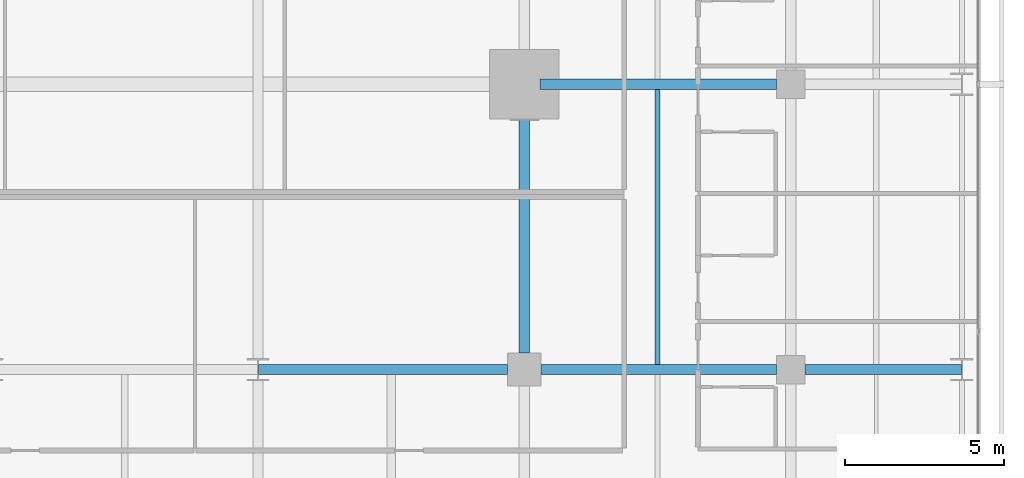
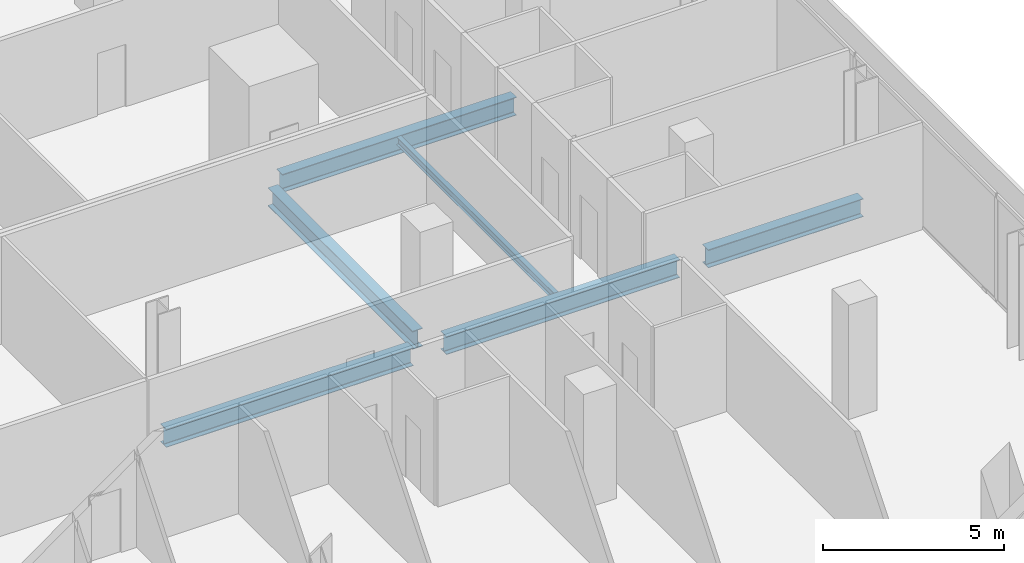
# One storey, part 18 of 40: 6 beams.
"""IFC4 building model written with IfcOpenShell, lengths in metres."""

from ifc_helpers import new_model, si_unit, direction, frame, origin, origin_2d, place, context, subcontext, project, spatial, i_section, extrude, material, material_profile, profile_set, type_object, element, save


model = new_model("IFC4")

# Units and contexts
model_context = context("Model", 3, precision=1e-05, world=origin(), true_north=direction((0.0, 1.0)))
body_context = subcontext(model_context, "Body", "Model", "MODEL_VIEW")
ifc_project = project(units=[si_unit("LENGTHUNIT", "METRE"), si_unit("AREAUNIT", "SQUARE_METRE"), si_unit("VOLUMEUNIT", "CUBIC_METRE"), si_unit("PLANEANGLEUNIT", "RADIAN"), si_unit("MASSUNIT", "GRAM", prefix="KILO")], contexts=[model_context])

# Site, building, storey
site_placement = place(None, origin())
site = spatial("IfcSite", under=ifc_project, at=site_placement, CompositionType="ELEMENT")
building_placement = place(site_placement, origin())
building = spatial("IfcBuilding", under=site, at=building_placement, Name="Maruvema Waterfront Hotel and Observation Tower", CompositionType="ELEMENT")
storey_placement = place(building_placement, frame((0.0, 0.0, 77.0)))
storey = spatial("IfcBuildingStorey", under=building, at=storey_placement, Name="L18", CompositionType="ELEMENT", Elevation=77.0)

# Beams
ifc_material_1 = material(Name="Steel ASTM A572 Grade 50", Category="steel")
ifc_material_profile_1 = material_profile(ifc_material_1, i_section(OverallWidth=0.323974609375, OverallDepth=0.611083984375, WebThickness=0.0126953125, FlangeThickness=0.01904296875, FilletRadius=0.01806640625, at=origin_2d()), Name="W610x155.0")
ifc_profile_set_1 = profile_set([ifc_material_profile_1], Name="Steel ASTM A572 Grade 50")
beam_type_1 = type_object("IfcBeamType", Name="Primary Floor Girder W610x155.0", PredefinedType="BEAM", material=ifc_profile_set_1)
beam_1_placement = place(storey_placement, frame((42.013916015625, 18.0, -0.54541015625), z_axis=(1.0, 0.0, 0.0), x_axis=(0.0, 1.0, 0.0)))
element("IfcBeam", 1, at=beam_1_placement, inside=storey, type_object=beam_type_1, Name="L18 Floor Girder EW-17", PredefinedType="BEAM", context=body_context, shape_type="SweptSolid", body=[
    extrude(i_section(OverallWidth=0.323974609375, OverallDepth=0.611083984375, WebThickness=0.0126953125, FlangeThickness=0.01904296875, FilletRadius=0.01806640625, at=origin_2d()), origin(), (0.0, 0.0, 1.0), 7.861083984375),
])
beam_2_placement = place(storey_placement, frame((50.925048828125, 18.0, -0.54541015625), z_axis=(1.0, 0.0, 0.0), x_axis=(0.0, 1.0, 0.0)))
element("IfcBeam", 2, at=beam_2_placement, inside=storey, type_object=beam_type_1, Name="L18 Floor Girder EW-18", PredefinedType="BEAM", context=body_context, shape_type="SweptSolid", body=[
    extrude(i_section(OverallWidth=0.323974609375, OverallDepth=0.611083984375, WebThickness=0.0126953125, FlangeThickness=0.01904296875, FilletRadius=0.01806640625, at=origin_2d()), origin(), (0.0, 0.0, 1.0), 7.425048828125),
])
beam_3_placement = place(storey_placement, frame((59.25, 18.0, -0.54541015625), z_axis=(1.0, 0.0, 0.0), x_axis=(0.0, 1.0, 0.0)))
element("IfcBeam", 3, at=beam_3_placement, inside=storey, type_object=beam_type_1, Name="L18 Floor Girder EW-19", PredefinedType="BEAM", context=body_context, shape_type="SweptSolid", body=[
    extrude(i_section(OverallWidth=0.323974609375, OverallDepth=0.611083984375, WebThickness=0.0126953125, FlangeThickness=0.01904296875, FilletRadius=0.01806640625, at=origin_2d()), origin(), (0.0, 0.0, 1.0), 4.93603515625),
])
beam_4_placement = place(storey_placement, frame((50.89990234375, 27.0, -0.54541015625), z_axis=(1.0, 0.0, 0.0), x_axis=(0.0, 1.0, 0.0)))
element("IfcBeam", 4, at=beam_4_placement, inside=storey, type_object=beam_type_1, Name="L18 Floor Girder EW-23", PredefinedType="BEAM", context=body_context, shape_type="SweptSolid", body=[
    extrude(i_section(OverallWidth=0.323974609375, OverallDepth=0.611083984375, WebThickness=0.0126953125, FlangeThickness=0.01904296875, FilletRadius=0.01806640625, at=origin_2d()), origin(), (0.0, 0.0, 1.0), 7.4501953125),
])
beam_5_placement = place(storey_placement, frame((50.39990234375, 18.52490234375, -0.54541015625), z_axis=(0.0, 1.0, 0.0), x_axis=(-1.0, 0.0, 0.0)))
element("IfcBeam", 5, at=beam_5_placement, inside=storey, type_object=beam_type_1, Name="L18 Floor Girder NS-24", PredefinedType="BEAM", context=body_context, shape_type="SweptSolid", body=[
    extrude(i_section(OverallWidth=0.323974609375, OverallDepth=0.611083984375, WebThickness=0.0126953125, FlangeThickness=0.01904296875, FilletRadius=0.01806640625, at=origin_2d()), origin(), (0.0, 0.0, 1.0), 7.97509765625),
])
ifc_material_2 = material(Name="Steel ASTM A572 Grade 50", Category="steel")
ifc_material_profile_2 = material_profile(ifc_material_2, i_section(OverallWidth=0.14794921875, OverallDepth=0.26611328125, WebThickness=0.007568359375, FlangeThickness=0.012939453125, FilletRadius=0.012939453125, at=origin_2d()), Name="W250x44.8")
ifc_profile_set_2 = profile_set([ifc_material_profile_2], Name="Steel ASTM A572 Grade 50")
beam_type_2 = type_object("IfcBeamType", Name="Secondary Floor Joist W250x44.8", PredefinedType="JOIST", material=ifc_profile_set_2)
beam_6_placement = place(storey_placement, frame((54.60009765625, 18.162109375, -0.373046875), z_axis=(0.0, 1.0, 0.0), x_axis=(-1.0, 0.0, 0.0)))
element("IfcBeam", 6, at=beam_6_placement, inside=storey, type_object=beam_type_2, Name="L18 Secondary Floor Joist JS-18", PredefinedType="JOIST", context=body_context, shape_type="SweptSolid", body=[
    extrude(i_section(OverallWidth=0.14794921875, OverallDepth=0.26611328125, WebThickness=0.007568359375, FlangeThickness=0.012939453125, FilletRadius=0.012939453125, at=origin_2d()), origin(), (0.0, 0.0, 1.0), 8.67578125),
])

save(model, "model.ifc")
